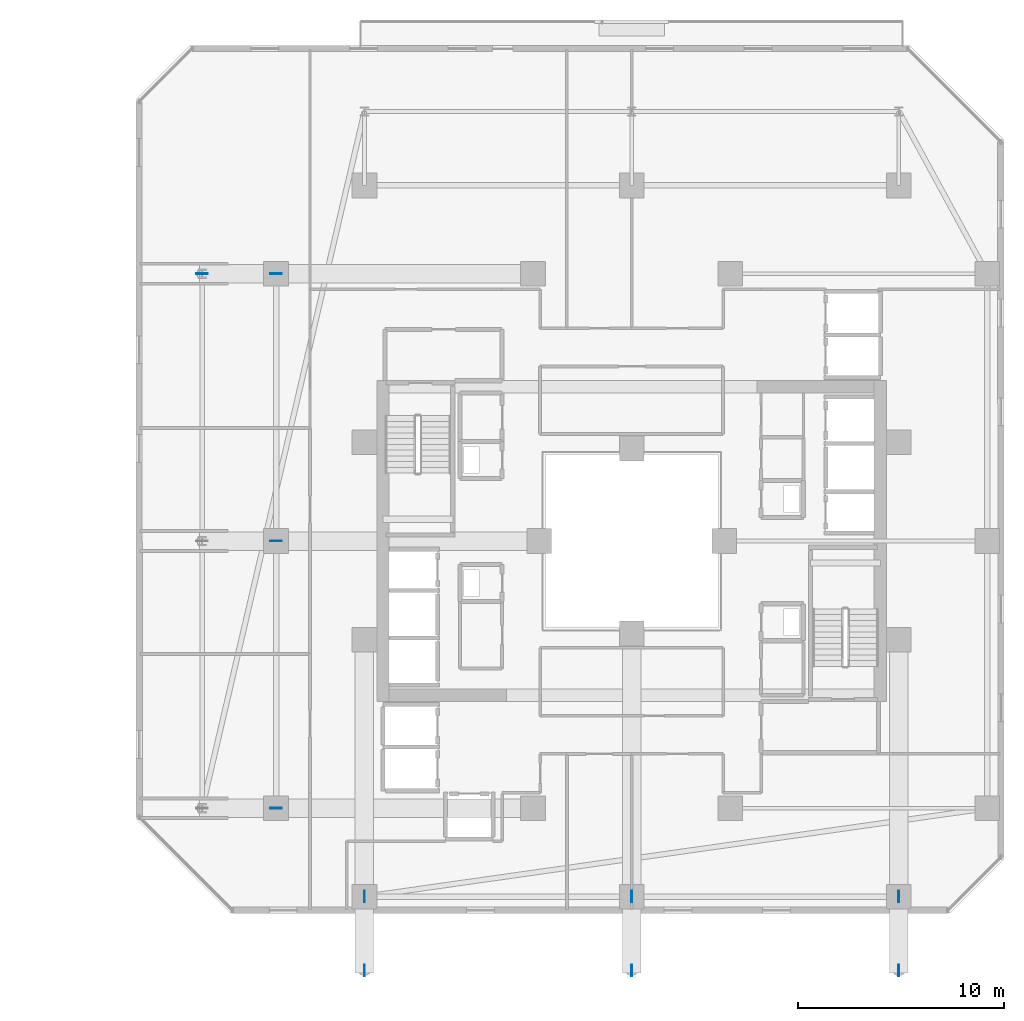
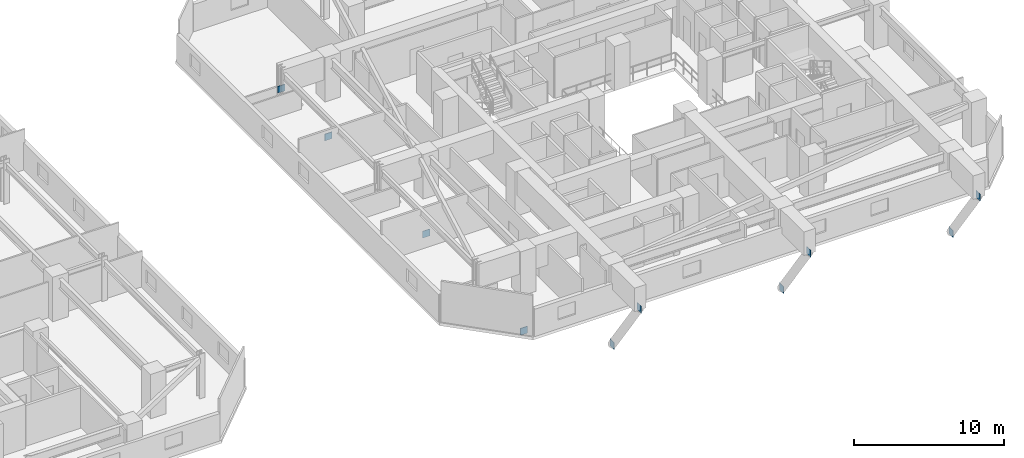
# One storey, part 20 of 36: 10 plates.
"""IFC4 building model written with IfcOpenShell, lengths in metres."""

from ifc_helpers import new_model, si_unit, direction, frame, origin, origin_2d, place, context, subcontext, project, spatial, rectangle, extrude, material, layer, layer_set, type_object, element, save


model = new_model("IFC4")

# Units and contexts
model_context = context("Model", 3, precision=1e-05, world=origin(), true_north=direction((0.0, 1.0)))
body_context = subcontext(model_context, "Body", "Model", "MODEL_VIEW")
ifc_project = project(units=[si_unit("LENGTHUNIT", "METRE"), si_unit("AREAUNIT", "SQUARE_METRE"), si_unit("VOLUMEUNIT", "CUBIC_METRE"), si_unit("PLANEANGLEUNIT", "RADIAN"), si_unit("MASSUNIT", "GRAM", prefix="KILO")], contexts=[model_context])

# Site, building, storey
site_placement = place(None, origin())
site = spatial("IfcSite", under=ifc_project, at=site_placement, CompositionType="ELEMENT")
building_placement = place(site_placement, origin())
building = spatial("IfcBuilding", under=site, at=building_placement, Name="Thornwick Lancets Civic Towers", CompositionType="ELEMENT")
storey_placement = place(building_placement, frame((0.0, 0.0, 94.5)))
storey = spatial("IfcBuildingStorey", under=building, at=storey_placement, Name="L24", CompositionType="ELEMENT", Elevation=94.5)

# Plates
ifc_material = material(Name="Steel S460M", Category="steel")
ifc_layer = layer(ifc_material, 0.0400390625, Name="Steel S460M")
ifc_layer_set = layer_set([ifc_layer], Name="Steel S460M")
plate_type = type_object("IfcPlateType", Name="PLT_GUSSET_40", PredefinedType="USERDEFINED", material=ifc_layer_set)
for number, where, z_axis, x_axis, name in (
    (1, (71.199951171875, 14.0, -3.625), (0.0, 0.0, 1.0), (-1.0, 0.0, 0.0), "L24 Brace Connection Gusset Plate 0143"),
    (2, (71.199951171875, 27.0, -3.625), (0.0, 0.0, 1.0), (-1.0, 0.0, 0.0), "L24 Brace Connection Gusset Plate 0145"),
    (3, (71.199951171875, 40.0, -3.625), (0.0, 0.0, 1.0), (-1.0, 0.0, 0.0), "L24 Brace Connection Gusset Plate 0147"),
    (4, (67.60009765625, 40.0, 1.5048828125), (0.0, 0.0, 1.0), (-1.0, 0.0, 0.0), "L24 Brace Connection Gusset Plate 0148"),
    (5, (101.5, 9.699951171875, -3.625), (0.0, 0.0, 1.0), (0.0, -1.0, 0.0), "L24 Brace Connection Gusset Plate 0149"),
    (6, (101.5, 6.10009765625, 1.5048828125), (0.0, 0.0, 1.0), (0.0, -1.0, 0.0), "L24 Brace Connection Gusset Plate 0150"),
    (7, (88.5, 9.699951171875, -3.625), (0.0, 0.0, 1.0), (0.0, -1.0, 0.0), "L24 Brace Connection Gusset Plate 0151"),
    (8, (88.5, 6.10009765625, 1.5048828125), (0.0, 0.0, 1.0), (0.0, -1.0, 0.0), "L24 Brace Connection Gusset Plate 0152"),
    (9, (75.5, 9.699951171875, -3.625), (0.0, 0.0, 1.0), (0.0, -1.0, 0.0), "L24 Brace Connection Gusset Plate 0153"),
    (10, (75.5, 6.10009765625, 1.5048828125), (0.0, 0.0, 1.0), (0.0, -1.0, 0.0), "L24 Brace Connection Gusset Plate 0154"),
):
    element("IfcPlate", number, at=place(storey_placement, frame(where, z_axis=z_axis, x_axis=x_axis)), inside=storey, type_object=plate_type, Name=name, ObjectType="GUSSET_PLATE", PredefinedType="USERDEFINED", context=body_context, shape_type="SweptSolid", body=[
        extrude(rectangle(XDim=0.550048828125, YDim=0.0400390625, at=origin_2d()), origin(), (0.0, 0.0, 1.0), 0.550048828125),
    ])

save(model, "model.ifc")
